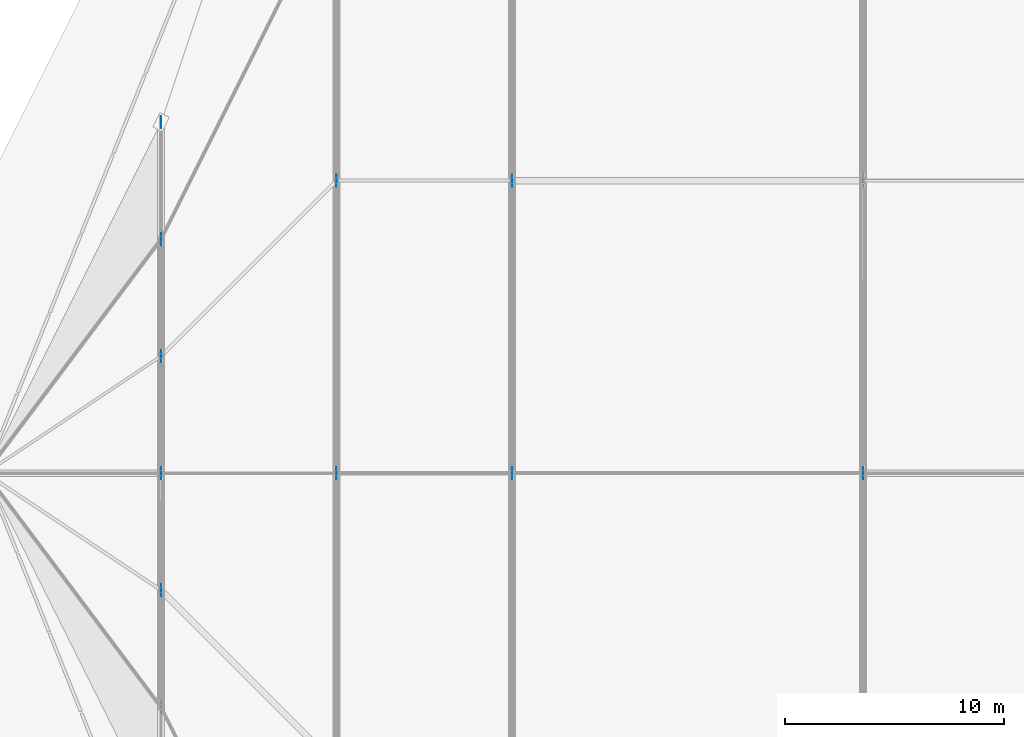
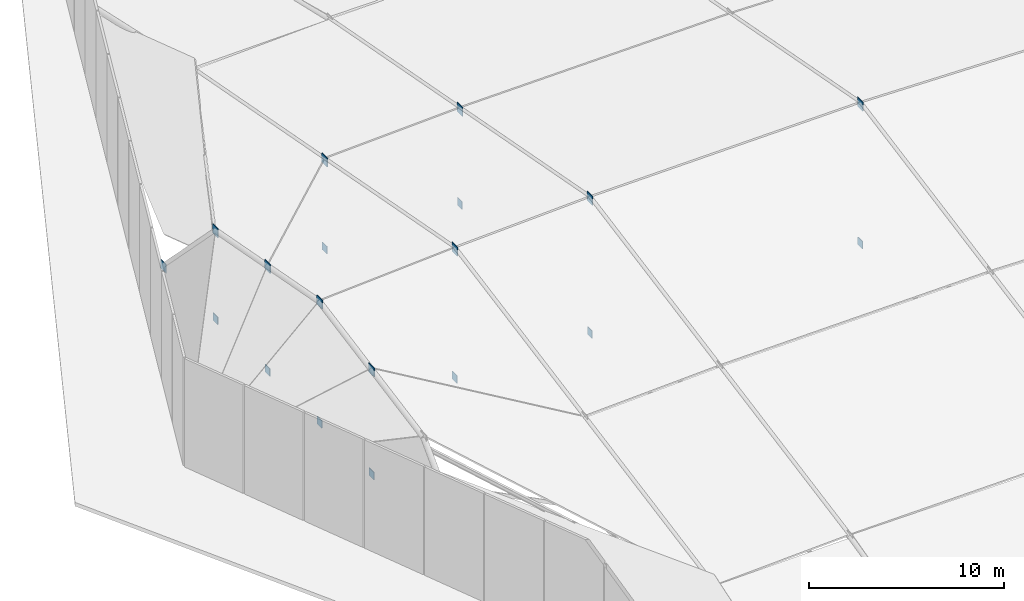
# One storey, part 24 of 30: 19 plates.
"""IFC4 building model written with IfcOpenShell, lengths in metres."""

import ifcopenshell
import ifcopenshell.guid

model = None  # the IFC model being written
_history = None  # IfcOwnerHistory: only IFC2X3 demands one
_inside = {}  # id of a spatial element -> (the spatial element, [elements in it])
_under = {}  # id of a project, library or spatial element -> (it, [spatial elements below it])
_declared = {}  # id of a project -> (the project, [libraries it declares])
_typed = {}  # id of a type object -> (the type object, [elements of that type])
_made_of = {}  # id of a material, layer set ... -> (it, [elements and type objects made of it])


def new_model(schema):
    """Start an empty IFC model of exactly this schema.

    Asked for "IFC4X3", IfcOpenShell would pick the latest addendum, in which some entities
    have other attributes; the version numbers below select the first issue.
    IFC2X3 requires an IfcOwnerHistory on every rooted entity: one is made here for all.
    """
    global model, _history
    if schema == "IFC4X3":
        model = ifcopenshell.file(schema_version=(4, 3, 0, 0))
    else:
        model = ifcopenshell.file(schema=schema)
    _inside.clear()
    _under.clear()
    _declared.clear()
    _typed.clear()
    _made_of.clear()
    _history = None
    if model.schema == "IFC2X3":
        org = make("IfcOrganization", Name="unknown")
        user = make(
            "IfcPersonAndOrganization",
            ThePerson=make("IfcPerson", FamilyName="unknown"),
            TheOrganization=org,
        )
        app = make(
            "IfcApplication",
            ApplicationDeveloper=org,
            Version="unknown",
            ApplicationFullName="unknown",
            ApplicationIdentifier="unknown",
        )
        _history = make(
            "IfcOwnerHistory",
            OwningUser=user,
            OwningApplication=app,
            ChangeAction="ADDED",
            CreationDate=0,
        )
    return model


def make(cls, **values):
    """One entity of the class cls with the attributes given. An attribute that is None is left unset."""
    return model.create_entity(
        cls, **{name: value for name, value in values.items() if value is not None}
    )


def rooted(cls, **values):
    """An entity with a GlobalId (a new one), such as an element, a storey or a relation."""
    return make(cls, GlobalId=ifcopenshell.guid.new(), OwnerHistory=_history, **values)


def si_unit(unit_type, name, prefix=None):
    """IfcSIUnit, for example si_unit("LENGTHUNIT", "METRE", prefix="MILLI")."""
    return make("IfcSIUnit", UnitType=unit_type, Prefix=prefix, Name=name)


def assignment(units):
    """IfcUnitAssignment: the units of a project."""
    return None if units is None else make("IfcUnitAssignment", Units=units)


def point(xyz):
    """IfcCartesianPoint."""
    return None if xyz is None else make("IfcCartesianPoint", Coordinates=xyz)


def direction(xyz):
    """IfcDirection."""
    return None if xyz is None else make("IfcDirection", DirectionRatios=xyz)


def frame(location, z_axis=None, x_axis=None):
    """IfcAxis2Placement3D, a coordinate frame: its origin and axes. An axis left out is left unset."""
    return make(
        "IfcAxis2Placement3D",
        Location=point(location),
        Axis=direction(z_axis),
        RefDirection=direction(x_axis),
    )


def frame_2d(location, x_axis=None):
    """IfcAxis2Placement2D, a coordinate frame in the plane: its origin and x axis."""
    return make(
        "IfcAxis2Placement2D", Location=point(location), RefDirection=direction(x_axis)
    )


def origin():
    """The frame at (0, 0, 0) with its axes left unset."""
    return frame((0.0, 0.0, 0.0))


def origin_2d():
    """The frame at (0, 0) in the plane with its x axis left unset."""
    return frame_2d((0.0, 0.0))


def place(relative_to, where):
    """IfcLocalPlacement: puts the frame where relative to a parent placement (None: the world)."""
    return make(
        "IfcLocalPlacement", PlacementRelTo=relative_to, RelativePlacement=where
    )


def context(
    kind, dimensions, precision=None, world=None, true_north=None, identifier=None
):
    """IfcGeometricRepresentationContext, for example the 3D "Model" context."""
    return make(
        "IfcGeometricRepresentationContext",
        ContextIdentifier=identifier,
        ContextType=kind,
        CoordinateSpaceDimension=dimensions,
        Precision=precision,
        WorldCoordinateSystem=world,
        TrueNorth=true_north,
    )


def subcontext(parent, identifier, kind, view, scale=None):
    """IfcGeometricRepresentationSubContext, for example "Body" below "Model"."""
    return make(
        "IfcGeometricRepresentationSubContext",
        ContextIdentifier=identifier,
        ContextType=kind,
        ParentContext=parent,
        TargetScale=scale,
        TargetView=view,
    )


def project(units=None, contexts=None):
    """IfcProject with its units and contexts."""
    return rooted(
        "IfcProject",
        Name="project",
        RepresentationContexts=contexts,
        UnitsInContext=assignment(units),
    )


def spatial(cls, under=None, at=None, **own):
    """A site, building, storey or space (cls), placed at a placement, below another one or the project."""
    s = rooted(cls, ObjectPlacement=at, **own)
    if under is not None:
        _under.setdefault(under.id(), (under, []))[1].append(s)
    return s


def profile(cls, at=None, kind="AREA", **sizes):
    """A parametric profile (cls). Its sizes go by their IFC names, for example OverallWidth=200.0."""
    return make(cls, ProfileType=kind, Position=at, **sizes)


def rectangle(**sizes):
    """IfcRectangleProfileDef."""
    return profile("IfcRectangleProfileDef", **sizes)


def extrude(swept, where, along, depth):
    """IfcExtrudedAreaSolid: the profile swept, set in the frame where, extruded along a direction by depth."""
    return make(
        "IfcExtrudedAreaSolid",
        SweptArea=swept,
        Position=where,
        ExtrudedDirection=direction(along),
        Depth=depth,
    )


def shape(context_of_items, identifier, shape_type, items):
    """IfcShapeRepresentation: the items that make up one representation, for example the "Body"."""
    return make(
        "IfcShapeRepresentation",
        ContextOfItems=context_of_items,
        RepresentationIdentifier=identifier,
        RepresentationType=shape_type,
        Items=items,
    )


def material(Name=None, Category=None):
    """IfcMaterial."""
    return make("IfcMaterial", Name=Name, Category=Category)


def layer(
    of_material, thickness, ventilated=None, Name=None, Category=None, Priority=None
):
    """IfcMaterialLayer: one layer of a wall or slab, of a material (None: an air gap)."""
    return make(
        "IfcMaterialLayer",
        Material=of_material,
        LayerThickness=thickness,
        IsVentilated=ventilated,
        Name=Name,
        Category=Category,
        Priority=Priority,
    )


def layer_set(layers, Name=None):
    """IfcMaterialLayerSet."""
    return make("IfcMaterialLayerSet", MaterialLayers=layers, LayerSetName=Name)


def made_of(thing, what):
    """Note that an element or type object is made of a material, layer set ...; save() writes the relation."""
    if what is not None:
        _made_of.setdefault(what.id(), (what, []))[1].append(thing)
    return thing


def type_object(cls, material=None, **own):
    """A type object (cls), such as IfcWallType, which elements share."""
    return made_of(rooted(cls, **own), material)


def element(
    cls,
    number,
    at=None,
    inside=None,
    cuts=None,
    type_object=None,
    material=None,
    context=None,
    identifier="Body",
    shape_type=None,
    held_by="IfcProductDefinitionShape",
    body=None,
    shapes=None,
    **own,
):
    """One element of the class cls, such as IfcWall. Its Tag is "e" and its number.

    at: its placement. inside: the storey or other place that contains it. cuts: it is an
    opening in that element (IfcRelVoidsElement). A single representation is given by context,
    identifier, shape_type and body (its items); several are given by shapes. held_by: the class
    of the entity that holds the representations. save() writes the other relations.
    """
    e = rooted(cls, Tag="e%d" % number, ObjectPlacement=at, **own)
    if body is not None:
        shapes = [shape(context, identifier, shape_type, body)]
    if shapes is not None:
        e.Representation = make(held_by, Representations=shapes)
    if inside is not None:
        _inside.setdefault(inside.id(), (inside, []))[1].append(e)
    if cuts is not None:
        rooted(
            "IfcRelVoidsElement", RelatingBuildingElement=cuts, RelatedOpeningElement=e
        )
    if type_object is not None:
        _typed.setdefault(type_object.id(), (type_object, []))[1].append(e)
    return made_of(e, material)


def aggregate(whole, parts):
    """IfcRelAggregates: a whole, such as a stair, and the parts it consists of."""
    return rooted("IfcRelAggregates", RelatingObject=whole, RelatedObjects=parts)


def save(model, path):
    """Write the relations noted so far, then the file.

    IfcRelAggregates (storeys below a building ...), IfcRelContainedInSpatialStructure (elements
    in a storey), IfcRelDefinesByType, IfcRelAssociatesMaterial and IfcRelDeclares: one each for
    every whole, place, type object, material and project.
    """
    for whole, parts in _under.values():
        aggregate(whole, parts)
    for where, things in _inside.values():
        rooted(
            "IfcRelContainedInSpatialStructure",
            RelatedElements=things,
            RelatingStructure=where,
        )
    for kind, things in _typed.values():
        rooted("IfcRelDefinesByType", RelatedObjects=things, RelatingType=kind)
    for what, things in _made_of.values():
        rooted("IfcRelAssociatesMaterial", RelatedObjects=things, RelatingMaterial=what)
    for by, libraries in _declared.values():
        rooted("IfcRelDeclares", RelatingContext=by, RelatedDefinitions=libraries)
    model.write(path)


model = new_model("IFC4")

# Units and contexts
model_context = context("Model", 3, precision=1e-05, world=origin(), true_north=direction((0.0, 1.0)))
body_context = subcontext(model_context, "Body", "Model", "MODEL_VIEW")
ifc_project = project(units=[si_unit("LENGTHUNIT", "METRE"), si_unit("AREAUNIT", "SQUARE_METRE"), si_unit("VOLUMEUNIT", "CUBIC_METRE"), si_unit("PLANEANGLEUNIT", "RADIAN"), si_unit("MASSUNIT", "GRAM", prefix="KILO")], contexts=[model_context])

# Site, building, storey
site_placement = place(None, origin())
site = spatial("IfcSite", under=ifc_project, at=site_placement, CompositionType="ELEMENT")
building_placement = place(site_placement, origin())
building = spatial("IfcBuilding", under=site, at=building_placement, Name="Tazarka Park Arena", CompositionType="ELEMENT")
storey_placement = place(building_placement, frame((0.0, 0.0, 29.39990234375)))
storey = spatial("IfcBuildingStorey", under=building, at=storey_placement, Name="Roof", CompositionType="ELEMENT", Elevation=29.39990234375)

# Plates
ifc_material_1 = material(Name="Steel S460", Category="steel")
ifc_layer_1 = layer(ifc_material_1, 0.0439453125, Name="Steel S460")
ifc_layer_set_1 = layer_set([ifc_layer_1], Name="Steel S460")
plate_type_1 = type_object("IfcPlateType", Name="PLT-PL-07", PredefinedType="SHEET", material=ifc_layer_set_1)
for number, where, z_axis, x_axis, name in (
    (1, (56.0, 58.666748046875, 6.17138671875), (0.0, 0.0, 1.0), (1.0, 0.0, 0.0), "ANP-01-2"),
    (2, (56.0, 64.0, 7.17724609375), (0.0, 0.0, 1.0), (1.0, 0.0, 0.0), "ANP-01-3"),
    (3, (56.0, 69.333251953125, 6.17138671875), (0.0, 0.0, 1.0), (1.0, 0.0, 0.0), "ANP-01-4"),
    (4, (56.0, 74.666748046875, 5.165771484375), (0.0, 0.0, 1.0), (1.0, 0.0, 0.0), "ANP-01-5"),
    (5, (56.0, 80.0, -0.280029296875), (0.0, 0.0, 1.0), (1.0, 0.0, 0.0), "ANP-01-6"),
    (6, (64.0, 64.0, 7.698974609375), (0.0, 0.0, 1.0), (1.0, 0.0, 0.0), "ANP-02-3"),
    (7, (64.0, 77.333251953125, 5.184814453125), (0.0, 0.0, 1.0), (1.0, 0.0, 0.0), "ANP-02-4"),
    (8, (72.0, 64.0, 8.07177734375), (0.0, 0.0, 1.0), (1.0, 0.0, 0.0), "ANP-03-3"),
    (9, (72.0, 77.333251953125, 5.5576171875), (0.0, 0.0, 1.0), (1.0, 0.0, 0.0), "ANP-03-4"),
    (10, (88.0, 64.0, 8.3701171875), (0.0, 0.0, 1.0), (1.0, 0.0, 0.0), "ANP-04-3"),
):
    element("IfcPlate", number, at=place(storey_placement, frame(where, z_axis=z_axis, x_axis=x_axis)), inside=storey, type_object=plate_type_1, Name=name, PredefinedType="SHEET", context=body_context, shape_type="SweptSolid", body=[
        extrude(rectangle(XDim=0.0400390625, YDim=0.56005859375, at=origin_2d()), origin(), (0.0, 0.0, 1.0), 0.56005859375),
    ])
ifc_material_2 = material(Name="Steel S460", Category="steel")
ifc_layer_2 = layer(ifc_material_2, 0.035888671875, Name="Steel S460")
ifc_layer_set_2 = layer_set([ifc_layer_2], Name="Steel S460")
plate_type_2 = type_object("IfcPlateType", Name="PLT-PL-15", PredefinedType="USERDEFINED", material=ifc_layer_set_2)
for number, where, z_axis, x_axis, name in (
    (11, (56.0, 58.666748046875, -0.289794921875), (0.0, 0.0, 1.0), (1.0, 0.0, 0.0), "ANB-01-2"),
    (12, (56.0, 64.0, -0.289794921875), (0.0, 0.0, 1.0), (1.0, 0.0, 0.0), "ANB-01-3"),
    (13, (56.0, 69.333251953125, -0.289794921875), (0.0, 0.0, 1.0), (1.0, 0.0, 0.0), "ANB-01-4"),
    (14, (56.0, 74.666748046875, -0.289794921875), (0.0, 0.0, 1.0), (1.0, 0.0, 0.0), "ANB-01-5"),
    (15, (64.0, 64.0, -0.289794921875), (0.0, 0.0, 1.0), (1.0, 0.0, 0.0), "ANB-02-3"),
    (16, (64.0, 77.333251953125, -0.289794921875), (0.0, 0.0, 1.0), (1.0, 0.0, 0.0), "ANB-02-4"),
    (17, (72.0, 64.0, -0.289794921875), (0.0, 0.0, 1.0), (1.0, 0.0, 0.0), "ANB-03-3"),
    (18, (72.0, 77.333251953125, -0.289794921875), (0.0, 0.0, 1.0), (1.0, 0.0, 0.0), "ANB-03-4"),
    (19, (88.0, 64.0, -0.289794921875), (0.0, 0.0, 1.0), (1.0, 0.0, 0.0), "ANB-04-3"),
):
    element("IfcPlate", number, at=place(storey_placement, frame(where, z_axis=z_axis, x_axis=x_axis)), inside=storey, type_object=plate_type_2, Name=name, ObjectType="STIFFENER", PredefinedType="USERDEFINED", context=body_context, shape_type="SweptSolid", body=[
        extrude(rectangle(XDim=0.035888671875, YDim=0.47998046875, at=origin_2d()), origin(), (0.0, 0.0, 1.0), 0.47998046875),
    ])

save(model, "model.ifc")
